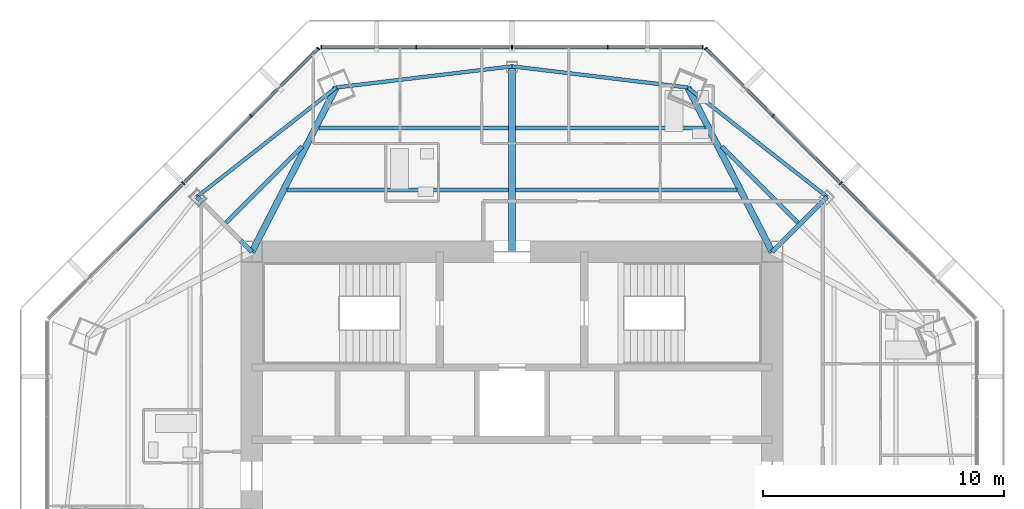
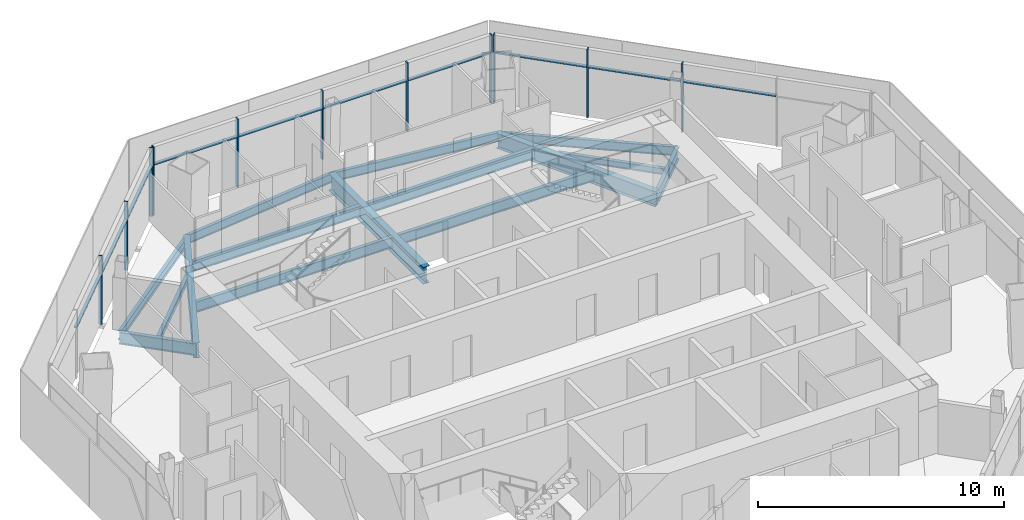
# One storey, part 6 of 15: 21 members, 15 beams, 3 elements without a shape of their own.
"""IFC4 building model written with IfcOpenShell, lengths in metres."""

import ifcopenshell
import ifcopenshell.guid

model = None  # the IFC model being written
_history = None  # IfcOwnerHistory: only IFC2X3 demands one
_inside = {}  # id of a spatial element -> (the spatial element, [elements in it])
_under = {}  # id of a project, library or spatial element -> (it, [spatial elements below it])
_declared = {}  # id of a project -> (the project, [libraries it declares])
_typed = {}  # id of a type object -> (the type object, [elements of that type])
_made_of = {}  # id of a material, layer set ... -> (it, [elements and type objects made of it])


def new_model(schema):
    """Start an empty IFC model of exactly this schema.

    Asked for "IFC4X3", IfcOpenShell would pick the latest addendum, in which some entities
    have other attributes; the version numbers below select the first issue.
    IFC2X3 requires an IfcOwnerHistory on every rooted entity: one is made here for all.
    """
    global model, _history
    if schema == "IFC4X3":
        model = ifcopenshell.file(schema_version=(4, 3, 0, 0))
    else:
        model = ifcopenshell.file(schema=schema)
    _inside.clear()
    _under.clear()
    _declared.clear()
    _typed.clear()
    _made_of.clear()
    _history = None
    if model.schema == "IFC2X3":
        org = make("IfcOrganization", Name="unknown")
        user = make(
            "IfcPersonAndOrganization",
            ThePerson=make("IfcPerson", FamilyName="unknown"),
            TheOrganization=org,
        )
        app = make(
            "IfcApplication",
            ApplicationDeveloper=org,
            Version="unknown",
            ApplicationFullName="unknown",
            ApplicationIdentifier="unknown",
        )
        _history = make(
            "IfcOwnerHistory",
            OwningUser=user,
            OwningApplication=app,
            ChangeAction="ADDED",
            CreationDate=0,
        )
    return model


def make(cls, **values):
    """One entity of the class cls with the attributes given. An attribute that is None is left unset."""
    return model.create_entity(
        cls, **{name: value for name, value in values.items() if value is not None}
    )


def rooted(cls, **values):
    """An entity with a GlobalId (a new one), such as an element, a storey or a relation."""
    return make(cls, GlobalId=ifcopenshell.guid.new(), OwnerHistory=_history, **values)


def si_unit(unit_type, name, prefix=None):
    """IfcSIUnit, for example si_unit("LENGTHUNIT", "METRE", prefix="MILLI")."""
    return make("IfcSIUnit", UnitType=unit_type, Prefix=prefix, Name=name)


def assignment(units):
    """IfcUnitAssignment: the units of a project."""
    return None if units is None else make("IfcUnitAssignment", Units=units)


def point(xyz):
    """IfcCartesianPoint."""
    return None if xyz is None else make("IfcCartesianPoint", Coordinates=xyz)


def direction(xyz):
    """IfcDirection."""
    return None if xyz is None else make("IfcDirection", DirectionRatios=xyz)


def frame(location, z_axis=None, x_axis=None):
    """IfcAxis2Placement3D, a coordinate frame: its origin and axes. An axis left out is left unset."""
    return make(
        "IfcAxis2Placement3D",
        Location=point(location),
        Axis=direction(z_axis),
        RefDirection=direction(x_axis),
    )


def frame_2d(location, x_axis=None):
    """IfcAxis2Placement2D, a coordinate frame in the plane: its origin and x axis."""
    return make(
        "IfcAxis2Placement2D", Location=point(location), RefDirection=direction(x_axis)
    )


def origin():
    """The frame at (0, 0, 0) with its axes left unset."""
    return frame((0.0, 0.0, 0.0))


def origin_2d():
    """The frame at (0, 0) in the plane with its x axis left unset."""
    return frame_2d((0.0, 0.0))


def place(relative_to, where):
    """IfcLocalPlacement: puts the frame where relative to a parent placement (None: the world)."""
    return make(
        "IfcLocalPlacement", PlacementRelTo=relative_to, RelativePlacement=where
    )


def context(
    kind, dimensions, precision=None, world=None, true_north=None, identifier=None
):
    """IfcGeometricRepresentationContext, for example the 3D "Model" context."""
    return make(
        "IfcGeometricRepresentationContext",
        ContextIdentifier=identifier,
        ContextType=kind,
        CoordinateSpaceDimension=dimensions,
        Precision=precision,
        WorldCoordinateSystem=world,
        TrueNorth=true_north,
    )


def subcontext(parent, identifier, kind, view, scale=None):
    """IfcGeometricRepresentationSubContext, for example "Body" below "Model"."""
    return make(
        "IfcGeometricRepresentationSubContext",
        ContextIdentifier=identifier,
        ContextType=kind,
        ParentContext=parent,
        TargetScale=scale,
        TargetView=view,
    )


def project(units=None, contexts=None):
    """IfcProject with its units and contexts."""
    return rooted(
        "IfcProject",
        Name="project",
        RepresentationContexts=contexts,
        UnitsInContext=assignment(units),
    )


def spatial(cls, under=None, at=None, **own):
    """A site, building, storey or space (cls), placed at a placement, below another one or the project."""
    s = rooted(cls, ObjectPlacement=at, **own)
    if under is not None:
        _under.setdefault(under.id(), (under, []))[1].append(s)
    return s


def profile(cls, at=None, kind="AREA", **sizes):
    """A parametric profile (cls). Its sizes go by their IFC names, for example OverallWidth=200.0."""
    return make(cls, ProfileType=kind, Position=at, **sizes)


def rectangle(**sizes):
    """IfcRectangleProfileDef."""
    return profile("IfcRectangleProfileDef", **sizes)


def i_section(**sizes):
    """IfcIShapeProfileDef."""
    return profile("IfcIShapeProfileDef", **sizes)


def extrude(swept, where, along, depth):
    """IfcExtrudedAreaSolid: the profile swept, set in the frame where, extruded along a direction by depth."""
    return make(
        "IfcExtrudedAreaSolid",
        SweptArea=swept,
        Position=where,
        ExtrudedDirection=direction(along),
        Depth=depth,
    )


def shape(context_of_items, identifier, shape_type, items):
    """IfcShapeRepresentation: the items that make up one representation, for example the "Body"."""
    return make(
        "IfcShapeRepresentation",
        ContextOfItems=context_of_items,
        RepresentationIdentifier=identifier,
        RepresentationType=shape_type,
        Items=items,
    )


def source(mapping_origin, context_of_items, identifier, shape_type, items):
    """IfcRepresentationMap: a shape defined once, which mapped items show again and again."""
    return make(
        "IfcRepresentationMap",
        MappingOrigin=mapping_origin,
        MappedRepresentation=shape(context_of_items, identifier, shape_type, items),
    )


def transform(
    local_origin,
    x_axis=None,
    y_axis=None,
    z_axis=None,
    scale=None,
    scale2=None,
    scale3=None,
    uniform=True,
):
    """IfcCartesianTransformationOperator3D, or its non-uniform kind. x_axis, y_axis, z_axis: its Axis1, 2, 3."""
    if uniform:
        return make(
            "IfcCartesianTransformationOperator3D",
            Axis1=direction(x_axis),
            Axis2=direction(y_axis),
            LocalOrigin=point(local_origin),
            Scale=scale,
            Axis3=direction(z_axis),
        )
    return make(
        "IfcCartesianTransformationOperator3DnonUniform",
        Axis1=direction(x_axis),
        Axis2=direction(y_axis),
        LocalOrigin=point(local_origin),
        Scale=scale,
        Axis3=direction(z_axis),
        Scale2=scale2,
        Scale3=scale3,
    )


def mapped(mapping_source, mapping_target):
    """IfcMappedItem: shows the shape of a source again, moved by a transform."""
    return make(
        "IfcMappedItem", MappingSource=mapping_source, MappingTarget=mapping_target
    )


def material(Name=None, Category=None):
    """IfcMaterial."""
    return make("IfcMaterial", Name=Name, Category=Category)


def material_profile(
    of_material, cross_section, Name=None, Category=None, Priority=None
):
    """IfcMaterialProfile: a cross section and its material."""
    return make(
        "IfcMaterialProfile",
        Name=Name,
        Material=of_material,
        Profile=cross_section,
        Priority=Priority,
        Category=Category,
    )


def profile_set(profiles, Name=None, composite=None):
    """IfcMaterialProfileSet."""
    return make(
        "IfcMaterialProfileSet",
        Name=Name,
        MaterialProfiles=profiles,
        CompositeProfile=composite,
    )


def made_of(thing, what):
    """Note that an element or type object is made of a material, layer set ...; save() writes the relation."""
    if what is not None:
        _made_of.setdefault(what.id(), (what, []))[1].append(thing)
    return thing


def type_object(cls, material=None, **own):
    """A type object (cls), such as IfcWallType, which elements share."""
    return made_of(rooted(cls, **own), material)


def type_shapes(of_type, sources):
    """Give a type object the sources (RepresentationMaps) that its elements show as mapped items."""
    of_type.RepresentationMaps = sources


def element(
    cls,
    number,
    at=None,
    inside=None,
    cuts=None,
    type_object=None,
    material=None,
    context=None,
    identifier="Body",
    shape_type=None,
    held_by="IfcProductDefinitionShape",
    body=None,
    shapes=None,
    **own,
):
    """One element of the class cls, such as IfcWall. Its Tag is "e" and its number.

    at: its placement. inside: the storey or other place that contains it. cuts: it is an
    opening in that element (IfcRelVoidsElement). A single representation is given by context,
    identifier, shape_type and body (its items); several are given by shapes. held_by: the class
    of the entity that holds the representations. save() writes the other relations.
    """
    e = rooted(cls, Tag="e%d" % number, ObjectPlacement=at, **own)
    if body is not None:
        shapes = [shape(context, identifier, shape_type, body)]
    if shapes is not None:
        e.Representation = make(held_by, Representations=shapes)
    if inside is not None:
        _inside.setdefault(inside.id(), (inside, []))[1].append(e)
    if cuts is not None:
        rooted(
            "IfcRelVoidsElement", RelatingBuildingElement=cuts, RelatedOpeningElement=e
        )
    if type_object is not None:
        _typed.setdefault(type_object.id(), (type_object, []))[1].append(e)
    return made_of(e, material)


def aggregate(whole, parts):
    """IfcRelAggregates: a whole, such as a stair, and the parts it consists of."""
    return rooted("IfcRelAggregates", RelatingObject=whole, RelatedObjects=parts)


def save(model, path):
    """Write the relations noted so far, then the file.

    IfcRelAggregates (storeys below a building ...), IfcRelContainedInSpatialStructure (elements
    in a storey), IfcRelDefinesByType, IfcRelAssociatesMaterial and IfcRelDeclares: one each for
    every whole, place, type object, material and project.
    """
    for whole, parts in _under.values():
        aggregate(whole, parts)
    for where, things in _inside.values():
        rooted(
            "IfcRelContainedInSpatialStructure",
            RelatedElements=things,
            RelatingStructure=where,
        )
    for kind, things in _typed.values():
        rooted("IfcRelDefinesByType", RelatedObjects=things, RelatingType=kind)
    for what, things in _made_of.values():
        rooted("IfcRelAssociatesMaterial", RelatedObjects=things, RelatingMaterial=what)
    for by, libraries in _declared.values():
        rooted("IfcRelDeclares", RelatingContext=by, RelatedDefinitions=libraries)
    model.write(path)


model = new_model("IFC4")

# Units and contexts
model_context = context("Model", 3, precision=1e-05, world=origin(), true_north=direction((0.0, 1.0)))
body_context = subcontext(model_context, "Body", "Model", "MODEL_VIEW")
ifc_project = project(units=[si_unit("LENGTHUNIT", "METRE"), si_unit("AREAUNIT", "SQUARE_METRE"), si_unit("VOLUMEUNIT", "CUBIC_METRE"), si_unit("PLANEANGLEUNIT", "RADIAN"), si_unit("MASSUNIT", "GRAM", prefix="KILO")], contexts=[model_context])

# Site, building, storey
site_placement = place(None, origin())
site = spatial("IfcSite", under=ifc_project, at=site_placement, CompositionType="ELEMENT")
building_placement = place(site_placement, origin())
building = spatial("IfcBuilding", under=site, at=building_placement, Name="Mashrafa Tower", CompositionType="ELEMENT")
storey_placement = place(building_placement, frame((0.0, 0.0, 308.199951171875)))
storey = spatial("IfcBuildingStorey", under=building, at=storey_placement, Name="L76", CompositionType="ELEMENT", Elevation=308.199951171875)

# Beams
ifc_material_1 = material(Name="Steel ASTM A992", Category="steel")
ifc_material_profile_1 = material_profile(ifc_material_1, i_section(OverallWidth=0.164794921875, OverallDepth=0.309814453125, WebThickness=0.005859375, FlangeThickness=0.009765625, FilletRadius=0.007568359375, at=origin_2d()), Name="W12X26")
ifc_profile_set_1 = profile_set([ifc_material_profile_1], Name="Steel ASTM A992")
beam_type_1 = type_object("IfcBeamType", Name="Beam W12X26", PredefinedType="BEAM", material=ifc_profile_set_1)
for number, where, z_axis, x_axis, name in (
    (1, (-11.87841796875, 12.00439453125, -0.35498046875), (0.707106781187, 0.707106781187, 0.0), (-0.707106781187, 0.707106781187, 0.0), "Floor beam L76 007"),
    (2, (8.70361328125, 15.17919921875, -0.35498046875), (0.707106781187, -0.707106781187, 0.0), (0.707106781187, 0.707106781187, 0.0), "Floor beam L76 016"),
):
    element("IfcBeam", number, at=place(storey_placement, frame(where, z_axis=z_axis, x_axis=x_axis)), inside=storey, type_object=beam_type_1, Name=name, PredefinedType="BEAM", context=body_context, shape_type="SweptSolid", body=[
        extrude(i_section(OverallWidth=0.164794921875, OverallDepth=0.309814453125, WebThickness=0.005859375, FlangeThickness=0.009765625, FilletRadius=0.007568359375, at=origin_2d()), origin(), (0.0, 0.0, 1.0), 4.48974609375),
    ])
ifc_material_2 = material(Name="Steel ASTM A992", Category="steel")
ifc_material_profile_2 = material_profile(ifc_material_2, i_section(OverallWidth=0.15234375, OverallDepth=0.449462890625, WebThickness=0.007568359375, FlangeThickness=0.0107421875, FilletRadius=0.01025390625, at=origin_2d()), Name="W18X35")
ifc_profile_set_2 = profile_set([ifc_material_profile_2], Name="Steel ASTM A992")
beam_type_2 = type_object("IfcBeamType", Name="Beam W18X35", PredefinedType="BEAM", material=ifc_profile_set_2)
for number, where, z_axis, x_axis, name in (
    (3, (-7.2998046875, 17.62353515625, -0.4248046875), (-0.786515326254, -0.617570758349, 0.0), (0.617570758349, -0.786515326254, 0.0), "Spandrel beam L76 047"),
    (4, (0.0, 18.501708984375, -0.4248046875), (-0.992841442027, -0.119439821638, 0.0), (0.119439821638, -0.992841442027, 0.0), "Spandrel beam L76 049"),
    (5, (7.2998046875, 17.62353515625, -0.4248046875), (-0.992841442027, 0.119439821638, 0.0), (-0.119439821638, -0.992841442027, 0.0), "Spandrel beam L76 051"),
    (6, (13.082763671875, 13.082763671875, -0.4248046875), (-0.786515326254, 0.617570758349, 0.0), (-0.617570758349, -0.786515326254, 0.0), "Spandrel beam L76 053"),
):
    element("IfcBeam", number, at=place(storey_placement, frame(where, z_axis=z_axis, x_axis=x_axis)), inside=storey, type_object=beam_type_2, Name=name, PredefinedType="BEAM", context=body_context, shape_type="SweptSolid", body=[
        extrude(i_section(OverallWidth=0.15234375, OverallDepth=0.449462890625, WebThickness=0.007568359375, FlangeThickness=0.0107421875, FilletRadius=0.01025390625, at=origin_2d()), origin(), (0.0, 0.0, 1.0), 7.3525390625),
    ])
ifc_material_3 = material(Name="Steel ASTM A992", Category="steel")
ifc_material_profile_3 = material_profile(ifc_material_3, i_section(OverallWidth=0.165771484375, OverallDepth=0.5283203125, WebThickness=0.009765625, FlangeThickness=0.013671875, FilletRadius=0.012939453125, at=origin_2d()), Name="W21X50")
ifc_profile_set_3 = profile_set([ifc_material_profile_3], Name="Steel ASTM A992")
beam_type_3 = type_object("IfcBeamType", Name="Beam W21X50", PredefinedType="BEAM", material=ifc_profile_set_3)
beam_1_placement = place(storey_placement, frame((-9.333251953125, 13.3671875, -0.464111328125), z_axis=(1.0, 0.0, 0.0), x_axis=(0.0, 1.0, 0.0)))
element("IfcBeam", 7, at=beam_1_placement, inside=storey, type_object=beam_type_3, Name="Floor beam L76 008", PredefinedType="BEAM", context=body_context, shape_type="SweptSolid", body=[
    extrude(i_section(OverallWidth=0.165771484375, OverallDepth=0.5283203125, WebThickness=0.009765625, FlangeThickness=0.013671875, FilletRadius=0.012939453125, at=origin_2d()), origin(), (0.0, 0.0, 1.0), 9.187255859375),
])
beam_2_placement = place(storey_placement, frame((-8.016357421875, 15.9345703125, -0.464111328125), z_axis=(1.0, 0.0, 0.0), x_axis=(0.0, 1.0, 0.0)))
element("IfcBeam", 8, at=beam_2_placement, inside=storey, type_object=beam_type_3, Name="Floor beam L76 010", PredefinedType="BEAM", context=body_context, shape_type="SweptSolid", body=[
    extrude(i_section(OverallWidth=0.165771484375, OverallDepth=0.5283203125, WebThickness=0.009765625, FlangeThickness=0.013671875, FilletRadius=0.012939453125, at=origin_2d()), origin(), (0.0, 0.0, 1.0), 7.870361328125),
])
beam_3_placement = place(storey_placement, frame((0.14599609375, 13.3671875, -0.464111328125), z_axis=(1.0, 0.0, 0.0), x_axis=(0.0, 1.0, 0.0)))
element("IfcBeam", 9, at=beam_3_placement, inside=storey, type_object=beam_type_3, Name="Floor beam L76 013", PredefinedType="BEAM", context=body_context, shape_type="SweptSolid", body=[
    extrude(i_section(OverallWidth=0.165771484375, OverallDepth=0.5283203125, WebThickness=0.009765625, FlangeThickness=0.013671875, FilletRadius=0.012939453125, at=origin_2d()), origin(), (0.0, 0.0, 1.0), 9.187255859375),
])
beam_4_placement = place(storey_placement, frame((0.14599609375, 15.9345703125, -0.464111328125), z_axis=(1.0, 0.0, 0.0), x_axis=(0.0, 1.0, 0.0)))
element("IfcBeam", 10, at=beam_4_placement, inside=storey, type_object=beam_type_3, Name="Floor beam L76 014", PredefinedType="BEAM", context=body_context, shape_type="SweptSolid", body=[
    extrude(i_section(OverallWidth=0.165771484375, OverallDepth=0.5283203125, WebThickness=0.009765625, FlangeThickness=0.013671875, FilletRadius=0.012939453125, at=origin_2d()), origin(), (0.0, 0.0, 1.0), 7.870361328125),
])
ifc_material_4 = material(Name="Steel ASTM A992", Category="steel")
ifc_material_profile_4 = material_profile(ifc_material_4, i_section(OverallWidth=0.177978515625, OverallDepth=0.599365234375, WebThickness=0.010009765625, FlangeThickness=0.012939453125, FilletRadius=0.012939453125, at=origin_2d()), Name="W24X55")
ifc_profile_set_4 = profile_set([ifc_material_profile_4], Name="Steel ASTM A992")
beam_type_4 = type_object("IfcBeamType", Name="Beam W24X55", PredefinedType="BEAM", material=ifc_profile_set_4)
for number, where, z_axis, x_axis, name in (
    (11, (-10.800048828125, 10.800048828125, -0.499755859375), (-0.707106781187, 0.707106781187, 0.0), (-0.707106781187, -0.707106781187, 0.0), "Radial girder L76 030"),
    (12, (10.800048828125, 10.800048828125, -0.499755859375), (0.707106781187, 0.707106781187, 0.0), (-0.707106781187, 0.707106781187, 0.0), "Radial girder L76 039"),
):
    element("IfcBeam", number, at=place(storey_placement, frame(where, z_axis=z_axis, x_axis=x_axis)), inside=storey, type_object=beam_type_4, Name=name, PredefinedType="BEAM", context=body_context, shape_type="SweptSolid", body=[
        extrude(i_section(OverallWidth=0.177978515625, OverallDepth=0.599365234375, WebThickness=0.010009765625, FlangeThickness=0.012939453125, FilletRadius=0.012939453125, at=origin_2d()), origin(), (0.0, 0.0, 1.0), 3.228271484375),
    ])
ifc_material_5 = material(Name="Steel ASTM A992", Category="steel")
ifc_material_profile_5 = material_profile(ifc_material_5, i_section(OverallWidth=0.2666015625, OverallDepth=0.75439453125, WebThickness=0.01318359375, FlangeThickness=0.01708984375, FilletRadius=0.0166015625, at=origin_2d()), Name="W30X99")
ifc_profile_set_5 = profile_set([ifc_material_profile_5], Name="Steel ASTM A992")
beam_type_5 = type_object("IfcBeamType", Name="Beam W30X99", PredefinedType="BEAM", material=ifc_profile_set_5)
for number, where, z_axis, x_axis, name in (
    (13, (-10.800048828125, 10.800048828125, -0.5771484375), (0.456421994055, 0.889763431111, 0.0), (-0.889763431111, 0.456421994055, 0.0), "Radial girder L76 031"),
    (14, (10.800048828125, 10.800048828125, -0.5771484375), (-0.456421994055, 0.889763431111, 0.0), (-0.889763431111, -0.456421994055, 0.0), "Radial girder L76 038"),
):
    element("IfcBeam", number, at=place(storey_placement, frame(where, z_axis=z_axis, x_axis=x_axis)), inside=storey, type_object=beam_type_5, Name=name, PredefinedType="BEAM", context=body_context, shape_type="SweptSolid", body=[
        extrude(i_section(OverallWidth=0.2666015625, OverallDepth=0.75439453125, WebThickness=0.01318359375, FlangeThickness=0.01708984375, FilletRadius=0.0166015625, at=origin_2d()), origin(), (0.0, 0.0, 1.0), 7.6689453125),
    ])
ifc_material_6 = material(Name="Steel ASTM A992", Category="steel")
ifc_material_profile_6 = material_profile(ifc_material_6, i_section(OverallWidth=0.2919921875, OverallDepth=0.8408203125, WebThickness=0.0146484375, FlangeThickness=0.021728515625, FilletRadius=0.017333984375, at=origin_2d()), Name="W33X130")
ifc_profile_set_6 = profile_set([ifc_material_profile_6], Name="Steel ASTM A992")
beam_type_6 = type_object("IfcBeamType", Name="Beam W33X130", PredefinedType="BEAM", material=ifc_profile_set_6)
beam_5_placement = place(storey_placement, frame((0.0, 10.800048828125, -0.620361328125), z_axis=(0.0, 1.0, 0.0), x_axis=(-1.0, 0.0, 0.0)))
element("IfcBeam", 15, at=beam_5_placement, inside=storey, type_object=beam_type_6, Name="Radial girder L76 033", PredefinedType="BEAM", context=body_context, shape_type="SweptSolid", body=[
    extrude(i_section(OverallWidth=0.2919921875, OverallDepth=0.8408203125, WebThickness=0.0146484375, FlangeThickness=0.021728515625, FilletRadius=0.017333984375, at=origin_2d()), origin(), (0.0, 0.0, 1.0), 7.70166015625),
])

# Curtain wall, members
ifc_material_7 = material(Name="Unitised aluminium curtain wall", Category="aluminium")
curtain_wall_type = type_object("IfcCurtainWallType", Name="Apartment curtain wall, zone 4 CW-D 160 deep", PredefinedType="NOTDEFINED", material=ifc_material_7)
curtain_wall_1_placement = place(storey_placement, origin())
curtain_wall_1 = element("IfcCurtainWall", 16, at=curtain_wall_1_placement, inside=storey, type_object=curtain_wall_type, Name="Apartment curtain wall, zone 4 L76 north-east", PredefinedType="NOTDEFINED")
ifc_material_8 = material(Name="Extruded aluminium mullion", Category="aluminium")
ifc_material_profile_7 = material_profile(ifc_material_8, rectangle(XDim=0.159912109375, YDim=0.06005859375, at=origin_2d()), Name="Mullion 60x160")
ifc_profile_set_7 = profile_set([ifc_material_profile_7], Name="Extruded aluminium mullion")
member_type_1 = type_object("IfcMemberType", Name="Mullion CW-D 60 x 160", PredefinedType="MULLION", material=ifc_profile_set_7)
shared_shape_1 = source(origin(), body_context, "Body", "SweptSolid", [
    extrude(rectangle(XDim=0.159912109375, YDim=0.06005859375, at=origin_2d()), origin(), (0.0, 0.0, 1.0), 3.400146484375),
])
type_shapes(member_type_1, [shared_shape_1])
member_1_placement = place(storey_placement, frame((13.64453125, 13.64453125, 0.0), z_axis=(0.0, 0.0, 1.0), x_axis=(-0.707106781187, -0.707106781187, 0.0)))
member_1 = element("IfcMember", 17, at=member_1_placement, type_object=member_type_1, Name="CW-D mullion 3", PredefinedType="MULLION", context=body_context, shape_type="MappedRepresentation", body=[
    mapped(shared_shape_1, transform((0.0, 0.0, 0.0))),
])
member_2_placement = place(storey_placement, frame((10.833740234375, 16.455078125, 0.0), z_axis=(0.0, 0.0, 1.0), x_axis=(-0.707106781187, -0.707106781187, 0.0)))
member_2 = element("IfcMember", 18, at=member_2_placement, type_object=member_type_1, Name="CW-D mullion 4", PredefinedType="MULLION", context=body_context, shape_type="MappedRepresentation", body=[
    mapped(shared_shape_1, transform((0.0, 0.0, 0.0))),
])
member_3_placement = place(storey_placement, frame((8.04443359375, 19.244384765625, 0.0), z_axis=(0.0, 0.0, 1.0), x_axis=(-0.707106781187, -0.707106781187, 0.0)))
member_3 = element("IfcMember", 19, at=member_3_placement, type_object=member_type_1, Name="CW-D mullion 5", PredefinedType="MULLION", context=body_context, shape_type="MappedRepresentation", body=[
    mapped(shared_shape_1, transform((0.0, 0.0, 0.0))),
])

curtain_wall_2_placement = place(storey_placement, origin())
curtain_wall_2 = element("IfcCurtainWall", 20, at=curtain_wall_2_placement, inside=storey, type_object=curtain_wall_type, Name="Apartment curtain wall, zone 4 L76 north", PredefinedType="NOTDEFINED")
member_4_placement = place(storey_placement, frame((7.919677734375, 19.296142578125, 0.0), z_axis=(0.0, 0.0, 1.0), x_axis=(0.0, -1.0, 0.0)))
member_4 = element("IfcMember", 21, at=member_4_placement, type_object=member_type_1, Name="CW-D mullion 1", PredefinedType="MULLION", context=body_context, shape_type="MappedRepresentation", body=[
    mapped(shared_shape_1, transform((0.0, 0.0, 0.0))),
])
member_5_placement = place(storey_placement, frame((3.974853515625, 19.296142578125, 0.0), z_axis=(0.0, 0.0, 1.0), x_axis=(0.0, -1.0, 0.0)))
member_5 = element("IfcMember", 22, at=member_5_placement, type_object=member_type_1, Name="CW-D mullion 2", PredefinedType="MULLION", context=body_context, shape_type="MappedRepresentation", body=[
    mapped(shared_shape_1, transform((0.0, 0.0, 0.0))),
])
member_6_placement = place(storey_placement, frame((0.0, 19.296142578125, 0.0), z_axis=(0.0, 0.0, 1.0), x_axis=(0.0, -1.0, 0.0)))
member_6 = element("IfcMember", 23, at=member_6_placement, type_object=member_type_1, Name="CW-D mullion 3", PredefinedType="MULLION", context=body_context, shape_type="MappedRepresentation", body=[
    mapped(shared_shape_1, transform((0.0, 0.0, 0.0))),
])
member_7_placement = place(storey_placement, frame((-3.974853515625, 19.296142578125, 0.0), z_axis=(0.0, 0.0, 1.0), x_axis=(0.0, -1.0, 0.0)))
member_7 = element("IfcMember", 24, at=member_7_placement, type_object=member_type_1, Name="CW-D mullion 4", PredefinedType="MULLION", context=body_context, shape_type="MappedRepresentation", body=[
    mapped(shared_shape_1, transform((0.0, 0.0, 0.0))),
])
member_8_placement = place(storey_placement, frame((-7.919677734375, 19.296142578125, 0.0), z_axis=(0.0, 0.0, 1.0), x_axis=(0.0, -1.0, 0.0)))
member_8 = element("IfcMember", 25, at=member_8_placement, type_object=member_type_1, Name="CW-D mullion 5", PredefinedType="MULLION", context=body_context, shape_type="MappedRepresentation", body=[
    mapped(shared_shape_1, transform((0.0, 0.0, 0.0))),
])

curtain_wall_3_placement = place(storey_placement, origin())
curtain_wall_3 = element("IfcCurtainWall", 26, at=curtain_wall_3_placement, inside=storey, type_object=curtain_wall_type, Name="Apartment curtain wall, zone 4 L76 north-west", PredefinedType="NOTDEFINED")
member_9_placement = place(storey_placement, frame((-8.04443359375, 19.244384765625, 0.0), z_axis=(0.0, 0.0, 1.0), x_axis=(0.707106781187, -0.707106781187, 0.0)))
member_9 = element("IfcMember", 27, at=member_9_placement, type_object=member_type_1, Name="CW-D mullion 1", PredefinedType="MULLION", context=body_context, shape_type="MappedRepresentation", body=[
    mapped(shared_shape_1, transform((0.0, 0.0, 0.0))),
])
member_10_placement = place(storey_placement, frame((-10.833740234375, 16.455078125, 0.0), z_axis=(0.0, 0.0, 1.0), x_axis=(0.707106781187, -0.707106781187, 0.0)))
member_10 = element("IfcMember", 28, at=member_10_placement, type_object=member_type_1, Name="CW-D mullion 2", PredefinedType="MULLION", context=body_context, shape_type="MappedRepresentation", body=[
    mapped(shared_shape_1, transform((0.0, 0.0, 0.0))),
])
member_11_placement = place(storey_placement, frame((-13.64453125, 13.64453125, 0.0), z_axis=(0.0, 0.0, 1.0), x_axis=(0.707106781187, -0.707106781187, 0.0)))
member_11 = element("IfcMember", 29, at=member_11_placement, type_object=member_type_1, Name="CW-D mullion 3", PredefinedType="MULLION", context=body_context, shape_type="MappedRepresentation", body=[
    mapped(shared_shape_1, transform((0.0, 0.0, 0.0))),
])

# Member
ifc_material_9 = material(Name="Extruded aluminium transom", Category="aluminium")
ifc_material_profile_8 = material_profile(ifc_material_9, rectangle(XDim=0.1279296875, YDim=0.074951171875, at=origin_2d()), Name="Transom 75x128")
ifc_profile_set_8 = profile_set([ifc_material_profile_8], Name="Extruded aluminium transom")
member_type_2 = type_object("IfcMemberType", Name="Transom CW-D 75 x 128", PredefinedType="MULLION", material=ifc_profile_set_8)
shared_shape_2 = source(origin(), body_context, "Body", "SweptSolid", [
    extrude(rectangle(XDim=0.1279296875, YDim=0.074951171875, at=origin_2d()), origin(), (0.0, 0.0, 1.0), 3.884765625),
])
member_12_placement = place(storey_placement, frame((10.812744140625, 16.476318359375, 2.5), z_axis=(-0.707138203267, 0.70707535771, 0.0), x_axis=(-0.70707535771, -0.707138203267, 0.0)))
member_12 = element("IfcMember", 30, at=member_12_placement, type_object=member_type_2, Name="CW-D transom 4", PredefinedType="MULLION", context=body_context, shape_type="MappedRepresentation", body=[
    mapped(shared_shape_2, transform((0.0, 0.0, 0.0))),
])

member_13_placement = place(storey_placement, frame((7.8896484375, 19.296142578125, 2.5), z_axis=(-1.0, 0.0, 0.0), x_axis=(0.0, -1.0, 0.0)))
member_13 = element("IfcMember", 31, at=member_13_placement, type_object=member_type_2, Name="CW-D transom 1", PredefinedType="MULLION", context=body_context, shape_type="MappedRepresentation", body=[
    mapped(shared_shape_2, transform((0.0, 0.0, 0.0))),
])

member_14_placement = place(storey_placement, frame((-4.0048828125, 19.296142578125, 2.5), z_axis=(-1.0, 0.0, 0.0), x_axis=(0.0, -1.0, 0.0)))
member_14 = element("IfcMember", 32, at=member_14_placement, type_object=member_type_2, Name="CW-D transom 4", PredefinedType="MULLION", context=body_context, shape_type="MappedRepresentation", body=[
    mapped(shared_shape_2, transform((0.0, 0.0, 0.0))),
])

member_15_placement = place(storey_placement, frame((-8.065673828125, 19.22314453125, 2.5), z_axis=(-0.707138203267, -0.70707535771, 0.0), x_axis=(0.70707535771, -0.707138203267, 0.0)))
member_15 = element("IfcMember", 33, at=member_15_placement, type_object=member_type_2, Name="CW-D transom 1", PredefinedType="MULLION", context=body_context, shape_type="MappedRepresentation", body=[
    mapped(shared_shape_2, transform((0.0, 0.0, 0.0))),
])

shared_shape_3 = source(origin(), body_context, "Body", "SweptSolid", [
    extrude(rectangle(XDim=0.1279296875, YDim=0.074951171875, at=origin_2d()), origin(), (0.0, 0.0, 1.0), 3.914794921875),
])
type_shapes(member_type_2, [shared_shape_2, shared_shape_3])
member_16_placement = place(storey_placement, frame((16.433837890625, 10.85498046875, 2.5), z_axis=(-0.707075598827, 0.707137962171, 0.0), x_axis=(-0.707137962171, -0.707075598827, 0.0)))
member_16 = element("IfcMember", 34, at=member_16_placement, type_object=member_type_2, Name="CW-D transom 2", PredefinedType="MULLION", context=body_context, shape_type="MappedRepresentation", body=[
    mapped(shared_shape_3, transform((0.0, 0.0, 0.0))),
])

member_17_placement = place(storey_placement, frame((13.623291015625, 13.665771484375, 2.5), z_axis=(-0.707137962171, 0.707075598827, 0.0), x_axis=(-0.707075598827, -0.707137962171, 0.0)))
member_17 = element("IfcMember", 35, at=member_17_placement, type_object=member_type_2, Name="CW-D transom 3", PredefinedType="MULLION", context=body_context, shape_type="MappedRepresentation", body=[
    mapped(shared_shape_3, transform((0.0, 0.0, 0.0))),
])

aggregate(curtain_wall_1, [member_1, member_2, member_3, member_16, member_17, member_12])

member_18_placement = place(storey_placement, frame((3.94482421875, 19.296142578125, 2.5), z_axis=(-1.0, 0.0, 0.0), x_axis=(0.0, -1.0, 0.0)))
member_18 = element("IfcMember", 36, at=member_18_placement, type_object=member_type_2, Name="CW-D transom 2", PredefinedType="MULLION", context=body_context, shape_type="MappedRepresentation", body=[
    mapped(shared_shape_3, transform((0.0, 0.0, 0.0))),
])

member_19_placement = place(storey_placement, frame((-0.030029296875, 19.296142578125, 2.5), z_axis=(-1.0, 0.0, 0.0), x_axis=(0.0, -1.0, 0.0)))
member_19 = element("IfcMember", 37, at=member_19_placement, type_object=member_type_2, Name="CW-D transom 3", PredefinedType="MULLION", context=body_context, shape_type="MappedRepresentation", body=[
    mapped(shared_shape_3, transform((0.0, 0.0, 0.0))),
])

aggregate(curtain_wall_2, [member_4, member_5, member_6, member_7, member_8, member_13, member_18, member_19, member_14])

member_20_placement = place(storey_placement, frame((-10.85498046875, 16.433837890625, 2.5), z_axis=(-0.707137962171, -0.707075598827, 0.0), x_axis=(0.707075598827, -0.707137962171, 0.0)))
member_20 = element("IfcMember", 38, at=member_20_placement, type_object=member_type_2, Name="CW-D transom 2", PredefinedType="MULLION", context=body_context, shape_type="MappedRepresentation", body=[
    mapped(shared_shape_3, transform((0.0, 0.0, 0.0))),
])

member_21_placement = place(storey_placement, frame((-13.665771484375, 13.623291015625, 2.5), z_axis=(-0.707075598827, -0.707137962171, 0.0), x_axis=(0.707137962171, -0.707075598827, 0.0)))
member_21 = element("IfcMember", 39, at=member_21_placement, type_object=member_type_2, Name="CW-D transom 3", PredefinedType="MULLION", context=body_context, shape_type="MappedRepresentation", body=[
    mapped(shared_shape_3, transform((0.0, 0.0, 0.0))),
])

aggregate(curtain_wall_3, [member_9, member_10, member_11, member_15, member_20, member_21])

save(model, "model.ifc")
